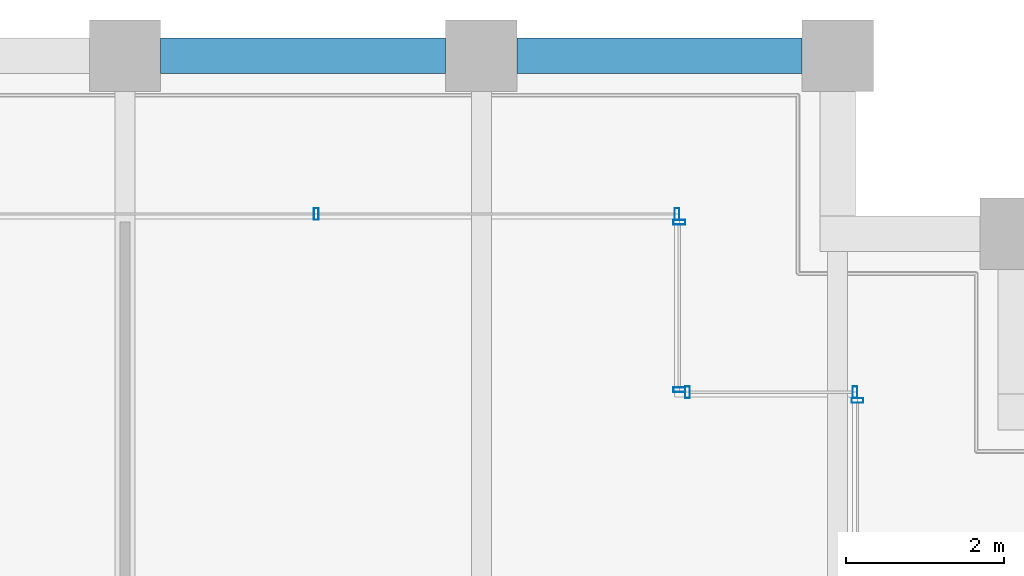
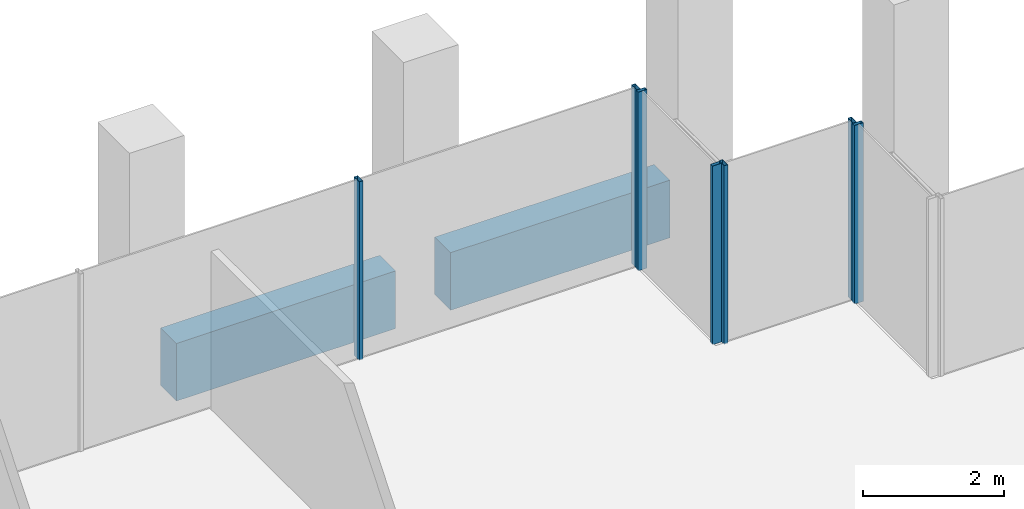
# One storey, part 26 of 40: 7 members, 2 beams, 4 elements without a shape of their own.
"""IFC4 building model written with IfcOpenShell, lengths in metres."""

from ifc_helpers import new_model, si_unit, direction, frame, origin, origin_2d, place, context, subcontext, project, spatial, rectangle, hollow_rectangle, extrude, material, material_profile, profile_set, type_object, element, aggregate, save


model = new_model("IFC4")

# Units and contexts
model_context = context("Model", 3, precision=1e-05, world=origin(), true_north=direction((0.0, 1.0)))
body_context = subcontext(model_context, "Body", "Model", "MODEL_VIEW")
ifc_project = project(units=[si_unit("LENGTHUNIT", "METRE"), si_unit("AREAUNIT", "SQUARE_METRE"), si_unit("VOLUMEUNIT", "CUBIC_METRE"), si_unit("PLANEANGLEUNIT", "RADIAN"), si_unit("MASSUNIT", "GRAM", prefix="KILO")], contexts=[model_context])

# Site, building, storey
site_placement = place(None, origin())
site = spatial("IfcSite", under=ifc_project, at=site_placement, CompositionType="ELEMENT")
building_placement = place(site_placement, origin())
building = spatial("IfcBuilding", under=site, at=building_placement, Name="Altepetl Exchange Towers", CompositionType="ELEMENT")
storey_placement = place(building_placement, frame((0.0, 0.0, 169.0)))
storey = spatial("IfcBuildingStorey", under=building, at=storey_placement, Name="L42", CompositionType="ELEMENT", Elevation=169.0)

# Curtain wall, member
ifc_material_1 = material(Name="Aluminium 6063-T6 glazing", Category="aluminium")
curtain_wall_type = type_object("IfcCurtainWallType", Name="Loggia glazing system", PredefinedType="NOTDEFINED", material=ifc_material_1)
curtain_wall_1_placement = place(storey_placement, origin())
curtain_wall_1 = element("IfcCurtainWall", 1, at=curtain_wall_1_placement, inside=storey, type_object=curtain_wall_type, Name="CW1 run", PredefinedType="NOTDEFINED")
ifc_material_2 = material(Name="Aluminium 6063-T6", Category="aluminium")
ifc_material_profile_1 = material_profile(ifc_material_2, hollow_rectangle(XDim=0.06005859375, YDim=0.14990234375, WallThickness=0.0029296875, at=origin_2d()), Name="Mullion 60x150 aluminium")
ifc_profile_set_1 = profile_set([ifc_material_profile_1], Name="Aluminium 6063-T6")
member_type = type_object("IfcMemberType", Name="Mullion 60x150 aluminium", PredefinedType="MULLION", material=ifc_profile_set_1)
member_1_placement = place(storey_placement, frame((67.75, 67.64501953125, 0.0), z_axis=(0.0, 0.0, 1.0), x_axis=(0.0, 1.0, 0.0)))
member_1 = element("IfcMember", 2, at=member_1_placement, type_object=member_type, Name="MU1 mullion", PredefinedType="MULLION", context=body_context, shape_type="SweptSolid", body=[
    extrude(hollow_rectangle(XDim=0.06005859375, YDim=0.14990234375, WallThickness=0.0029296875, at=origin_2d()), origin(), (0.0, 0.0, 1.0), 3.10009765625),
])
aggregate(curtain_wall_1, [member_1])

# Curtain wall, members
curtain_wall_2_placement = place(storey_placement, origin())
curtain_wall_2 = element("IfcCurtainWall", 3, at=curtain_wall_2_placement, inside=storey, type_object=curtain_wall_type, Name="CW1 run", PredefinedType="NOTDEFINED")
member_2_placement = place(storey_placement, frame((67.719970703125, 67.75, 0.0), z_axis=(0.0, 0.0, 1.0), x_axis=(-1.0, 0.0, 0.0)))
member_2 = element("IfcMember", 4, at=member_2_placement, type_object=member_type, Name="MU1 mullion", PredefinedType="MULLION", context=body_context, shape_type="SweptSolid", body=[
    extrude(hollow_rectangle(XDim=0.06005859375, YDim=0.14990234375, WallThickness=0.0029296875, at=origin_2d()), origin(), (0.0, 0.0, 1.0), 3.10009765625),
])
member_3_placement = place(storey_placement, frame((65.60498046875, 67.75, 0.0), z_axis=(0.0, 0.0, 1.0), x_axis=(-1.0, 0.0, 0.0)))
member_3 = element("IfcMember", 5, at=member_3_placement, type_object=member_type, Name="MU1 mullion", PredefinedType="MULLION", context=body_context, shape_type="SweptSolid", body=[
    extrude(hollow_rectangle(XDim=0.06005859375, YDim=0.14990234375, WallThickness=0.0029296875, at=origin_2d()), origin(), (0.0, 0.0, 1.0), 3.10009765625),
])
aggregate(curtain_wall_2, [member_2, member_3])

curtain_wall_3_placement = place(storey_placement, origin())
curtain_wall_3 = element("IfcCurtainWall", 6, at=curtain_wall_3_placement, inside=storey, type_object=curtain_wall_type, Name="CW1 run", PredefinedType="NOTDEFINED")
member_4_placement = place(storey_placement, frame((65.5, 67.780029296875, 0.0), z_axis=(0.0, 0.0, 1.0), x_axis=(0.0, 1.0, 0.0)))
member_4 = element("IfcMember", 7, at=member_4_placement, type_object=member_type, Name="MU1 mullion", PredefinedType="MULLION", context=body_context, shape_type="SweptSolid", body=[
    extrude(hollow_rectangle(XDim=0.06005859375, YDim=0.14990234375, WallThickness=0.0029296875, at=origin_2d()), origin(), (0.0, 0.0, 1.0), 3.10009765625),
])
member_5_placement = place(storey_placement, frame((65.5, 69.89501953125, 0.0), z_axis=(0.0, 0.0, 1.0), x_axis=(0.0, 1.0, 0.0)))
member_5 = element("IfcMember", 8, at=member_5_placement, type_object=member_type, Name="MU1 mullion", PredefinedType="MULLION", context=body_context, shape_type="SweptSolid", body=[
    extrude(hollow_rectangle(XDim=0.06005859375, YDim=0.14990234375, WallThickness=0.0029296875, at=origin_2d()), origin(), (0.0, 0.0, 1.0), 3.10009765625),
])
aggregate(curtain_wall_3, [member_4, member_5])

curtain_wall_4_placement = place(storey_placement, origin())
curtain_wall_4 = element("IfcCurtainWall", 9, at=curtain_wall_4_placement, inside=storey, type_object=curtain_wall_type, Name="CW1 run", PredefinedType="NOTDEFINED")
member_6_placement = place(storey_placement, frame((65.469970703125, 70.0, 0.0), z_axis=(0.0, 0.0, 1.0), x_axis=(-1.0, 0.0, 0.0)))
member_6 = element("IfcMember", 10, at=member_6_placement, type_object=member_type, Name="MU1 mullion", PredefinedType="MULLION", context=body_context, shape_type="SweptSolid", body=[
    extrude(hollow_rectangle(XDim=0.06005859375, YDim=0.14990234375, WallThickness=0.0029296875, at=origin_2d()), origin(), (0.0, 0.0, 1.0), 3.10009765625),
])
member_7_placement = place(storey_placement, frame((60.9150390625, 70.0, 0.0), z_axis=(0.0, 0.0, 1.0), x_axis=(-1.0, 0.0, 0.0)))
member_7 = element("IfcMember", 11, at=member_7_placement, type_object=member_type, Name="MU1 mullion", PredefinedType="MULLION", context=body_context, shape_type="SweptSolid", body=[
    extrude(hollow_rectangle(XDim=0.06005859375, YDim=0.14990234375, WallThickness=0.0029296875, at=origin_2d()), origin(), (0.0, 0.0, 1.0), 3.10009765625),
])
aggregate(curtain_wall_4, [member_6, member_7])

# Beams
ifc_material_3 = material(Name="Concrete C50/60 precast with cantera rosa facing", Category="concrete")
ifc_material_profile_2 = material_profile(ifc_material_3, rectangle(XDim=0.449951171875, YDim=1.0, at=origin_2d()), Name="450 x 1000")
ifc_profile_set_2 = profile_set([ifc_material_profile_2], Name="Concrete C50/60 precast with cantera rosa facing")
beam_type = type_object("IfcBeamType", Name="Spandrel beam 450x1000 cantera rosa", PredefinedType="SPANDREL", material=ifc_profile_set_2)
for number, where, z_axis, x_axis, name in (
    (12, (67.050048828125, 72.0, -0.64990234375), (-1.0, 0.0, 0.0), (0.0, -1.0, 0.0), "sp:A:L42:024"),
    (13, (62.550048828125, 72.0, -0.64990234375), (-1.0, 0.0, 0.0), (0.0, -1.0, 0.0), "sp:A:L42:025"),
):
    element("IfcBeam", number, at=place(storey_placement, frame(where, z_axis=z_axis, x_axis=x_axis)), inside=storey, type_object=beam_type, Name=name, PredefinedType="SPANDREL", context=body_context, shape_type="SweptSolid", body=[
        extrude(rectangle(XDim=0.449951171875, YDim=1.0, at=origin_2d()), origin(), (0.0, 0.0, 1.0), 3.60009765625),
    ])

save(model, "model.ifc")
